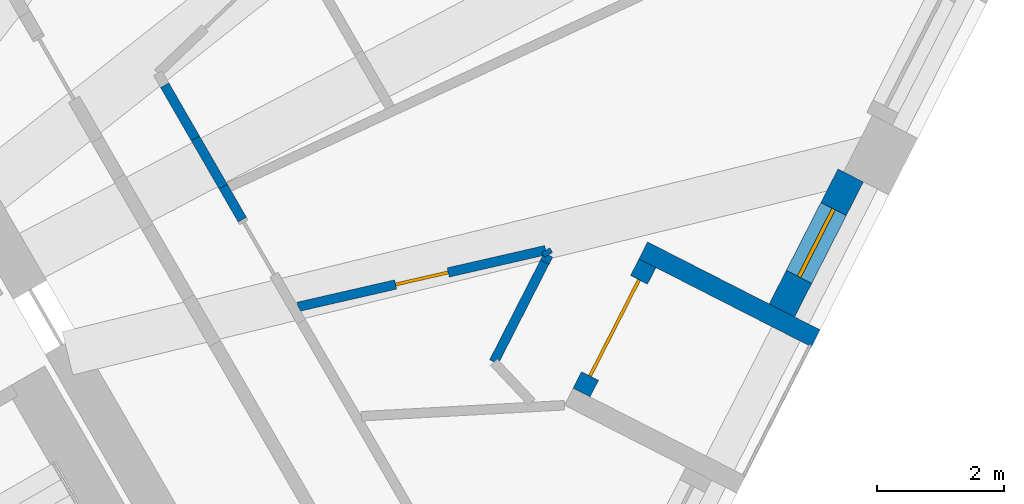
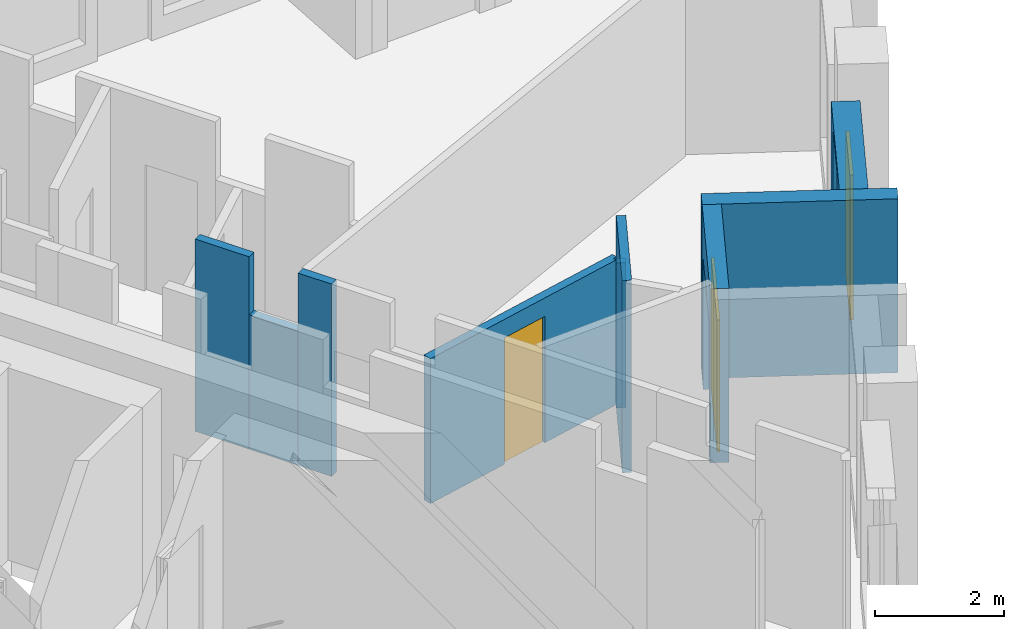
# One storey, part 6 of 13: 10 walls, 2 doors, 1 window, 3 openings.
"""IFC4 building model written with IfcOpenShell, lengths in metres."""

from ifc_helpers import new_model, si_unit, direction, frame, frame_2d, origin, place, context, subcontext, project, spatial, rectangle, extrude, material, layer, layer_set, type_object, element, fill, save


model = new_model("IFC4")

# Units and contexts
model_context = context("Model", 3, precision=1e-05, world=origin(), true_north=direction((0.0, 1.0)))
body_context = subcontext(model_context, "Body", "Model", "MODEL_VIEW")
ifc_project = project(units=[si_unit("LENGTHUNIT", "METRE"), si_unit("AREAUNIT", "SQUARE_METRE"), si_unit("VOLUMEUNIT", "CUBIC_METRE"), si_unit("PLANEANGLEUNIT", "RADIAN"), si_unit("MASSUNIT", "GRAM", prefix="KILO")], contexts=[model_context])

# Site, building, storey
site_placement = place(None, origin())
site = spatial("IfcSite", under=ifc_project, at=site_placement, CompositionType="ELEMENT")
building_placement = place(site_placement, origin())
building = spatial("IfcBuilding", under=site, at=building_placement, Name="Tramontana Tower", CompositionType="ELEMENT")
storey_placement = place(building_placement, frame((0.0, 0.0, 294.39990234375)))
storey = spatial("IfcBuildingStorey", under=building, at=storey_placement, Name="L69", CompositionType="ELEMENT", Elevation=294.39990234375)

# Wall, opening, window
ifc_material_1 = material(Name="Precast concrete 60 MPa", Category="concrete")
ifc_layer_1 = layer(ifc_material_1, 0.449951171875)
ifc_layer_set_1 = layer_set([ifc_layer_1], Name="Precast concrete 60 MPa, 450 mm")
wall_type_1 = type_object("IfcWallType", Name="EW1 Stone-faced precast wall 450", PredefinedType="SOLIDWALL", material=ifc_layer_set_1)
wall_1_placement = place(storey_placement, frame((17.796142578125, 2.27197265625, 0.0), z_axis=(0.0, 0.0, 1.0), x_axis=(0.453951830128, 0.891026226283, 0.0)))
wall_1 = element("IfcWall", 1, at=wall_1_placement, inside=storey, type_object=wall_type_1, Name="External wall L69 face 1 bay 4", PredefinedType="SOLIDWALL", context=body_context, shape_type="SweptSolid", body=[
    extrude(rectangle(XDim=2.38671875, YDim=0.449951171875, at=frame_2d((1.193359375, 0.0))), origin(), (0.0, 0.0, 1.0), 3.300048828125),
])
opening_1_placement = place(wall_1_placement, frame((0.59326171875, 0.0, 0.39990234375)))
opening_1 = element("IfcOpeningElement", 2, at=opening_1_placement, cuts=wall_1, Name="Opening N3", PredefinedType="OPENING", context=body_context, shape_type="SweptSolid", body=[
    extrude(rectangle(XDim=1.199951171875, YDim=2.75, at=frame_2d((0.60009765625, 1.375))), frame((0.0, 0.23486328125, 0.0), z_axis=(0.0, -1.0, 0.0), x_axis=(1.0, 0.0, 0.0)), (0.0, 0.0, 1.0), 0.469970703125),
])
ifc_material_2 = material(Name="Aluminum frame, double glazing unit", Category="aluminium")
window_type = type_object("IfcWindowType", Name="N3 Window 1.2 x 2.75", PartitioningType="SINGLE_PANEL", PredefinedType="WINDOW", material=ifc_material_2)
window_placement = place(opening_1_placement, origin())
window = element("IfcWindow", 3, at=window_placement, inside=storey, type_object=window_type, Name="Window N3 L69 face 1 module 12", OverallHeight=2.75, OverallWidth=1.199951171875, PartitioningType="SINGLE_PANEL", PredefinedType="WINDOW", context=body_context, shape_type="SweptSolid", body=[
    extrude(rectangle(XDim=1.199951171875, YDim=2.75, at=frame_2d((0.60009765625, 1.375))), frame((0.0, 0.030029296875, 0.0), z_axis=(0.0, -1.0, 0.0), x_axis=(1.0, 0.0, 0.0)), (0.0, 0.0, 1.0), 0.06005859375),
])
fill(opening_1, window)

# Wall, opening, door
ifc_material_3 = material(Name="Precast concrete 60 MPa", Category="concrete")
ifc_layer_2 = layer(ifc_material_3, 0.300048828125)
ifc_layer_set_2 = layer_set([ifc_layer_2], Name="LW1 Stone-faced loggia wall 300")
wall_type_2 = type_object("IfcWallType", Name="LW1 Stone-faced loggia wall 300", PredefinedType="SOLIDWALL", material=ifc_layer_set_2)
wall_2_placement = place(storey_placement, frame((14.63916015625, 0.977294921875, 0.0), z_axis=(0.0, 0.0, 1.0), x_axis=(0.45403292632, 0.890984905494, 0.0)))
wall_2 = element("IfcWall", 4, at=wall_2_placement, inside=storey, type_object=wall_type_2, Name="Loggia wall L69 G7S1.10", PredefinedType="SOLIDWALL", context=body_context, shape_type="SweptSolid", body=[
    extrude(rectangle(XDim=2.286865234375, YDim=0.300048828125, at=frame_2d((1.1435546875, 0.0))), origin(), (0.0, 0.0, 1.0), 3.300048828125),
])
opening_2_placement = place(wall_2_placement, frame((0.29345703125, 0.0, 0.0)))
opening_2 = element("IfcOpeningElement", 5, at=opening_2_placement, cuts=wall_2, Name="Opening BD-7S1-10", PredefinedType="OPENING", context=body_context, shape_type="SweptSolid", body=[
    extrude(rectangle(XDim=1.699951171875, YDim=2.5, at=frame_2d((0.85009765625, 1.25))), frame((0.0, 0.159912109375, 0.0), z_axis=(0.0, -1.0, 0.0), x_axis=(1.0, 0.0, 0.0)), (0.0, 0.0, 1.0), 0.320068359375),
])
ifc_material_4 = material(Name="Aluminum frame, double glazing unit", Category="aluminium")
door_type_1 = type_object("IfcDoorType", Name="BD3 Sliding door 1.7 x 2.5", OperationType="SLIDING_TO_LEFT", PredefinedType="DOOR", material=ifc_material_4)
door_1_placement = place(opening_2_placement, origin())
door_1 = element("IfcDoor", 6, at=door_1_placement, inside=storey, type_object=door_type_1, Name="Loggia door L69 G7S1.10", OperationType="SLIDING_TO_LEFT", OverallHeight=2.5, OverallWidth=1.699951171875, PredefinedType="DOOR", context=body_context, shape_type="SweptSolid", body=[
    extrude(rectangle(XDim=1.699951171875, YDim=2.5, at=frame_2d((0.85009765625, 1.25))), frame((0.0, 0.02490234375, 0.0), z_axis=(0.0, -1.0, 0.0), x_axis=(1.0, 0.0, 0.0)), (0.0, 0.0, 1.0), 0.050048828125),
])
fill(opening_2, door_1)

# Walls
wall_3_placement = place(storey_placement, frame((18.329345703125, 1.831787109375, 0.0), z_axis=(0.0, 0.0, 1.0), x_axis=(-0.890991233495, 0.454020508165, 0.0)))
element("IfcWall", 7, at=wall_3_placement, inside=storey, type_object=wall_type_2, Name="Loggia return L69 G7S1.10b", PredefinedType="SOLIDWALL", context=body_context, shape_type="SweptSolid", body=[
    extrude(rectangle(XDim=3.050048828125, YDim=0.300048828125, at=frame_2d((1.52490234375, 0.0))), origin(), (0.0, 0.0, 1.0), 3.300048828125),
])
ifc_material_5 = material(Name="Gypsum board partition")
ifc_layer_3 = layer(ifc_material_5, 0.14990234375)
ifc_layer_set_3 = layer_set([ifc_layer_3], Name="PARTITION 150")
wall_type_3 = type_object("IfcWallType", Name="PARTITION 150", PredefinedType="PARTITIONING", material=ifc_layer_set_3)
wall_4_placement = place(storey_placement, frame((8.071044921875, 5.820556640625, 0.0), z_axis=(0.0, 0.0, 1.0), x_axis=(0.500071713487, -0.865983996024, 0.0)))
element("IfcWall", 8, at=wall_4_placement, inside=storey, type_object=wall_type_3, Name="Wall v71-pw33-1", PredefinedType="PARTITIONING", context=body_context, shape_type="SweptSolid", body=[
    extrude(rectangle(XDim=0.968017578125, YDim=0.14990234375, at=frame_2d((0.48388671875, 0.0))), origin(), (0.0, 0.0, 1.0), 3.650146484375),
])
wall_5_placement = place(storey_placement, frame((8.55517578125, 4.982177734375, 0.0), z_axis=(0.0, 0.0, 1.0), x_axis=(0.499947731247, -0.86605557906, 0.0)))
element("IfcWall", 9, at=wall_5_placement, inside=storey, type_object=wall_type_3, Name="Wall v71-pw33-2", PredefinedType="PARTITIONING", context=body_context, shape_type="SweptSolid", body=[
    extrude(rectangle(XDim=0.87548828125, YDim=0.14990234375, at=frame_2d((0.437744140625, 0.0))), origin(), (0.0, 0.0, 1.0), 2.550048828125),
])
wall_6_placement = place(storey_placement, frame((8.992919921875, 4.223876953125, 0.0), z_axis=(0.0, 0.0, 1.0), x_axis=(0.499933044277, -0.866064057238, 0.0)))
element("IfcWall", 10, at=wall_6_placement, inside=storey, type_object=wall_type_3, Name="Wall v71-pw33-3", PredefinedType="PARTITIONING", context=body_context, shape_type="SweptSolid", body=[
    extrude(rectangle(XDim=0.60205078125, YDim=0.14990234375, at=frame_2d((0.301025390625, 0.0))), origin(), (0.0, 0.0, 1.0), 3.650146484375),
])

# Wall, opening, door
wall_7_placement = place(storey_placement, frame((14.07470703125, 3.221923828125, 0.0), z_axis=(0.0, 0.0, 1.0), x_axis=(-0.974783486008, -0.223152762489, 0.0)))
wall_7 = element("IfcWall", 11, at=wall_7_placement, inside=storey, type_object=wall_type_3, Name="Wall v71-pw34-0", PredefinedType="PARTITIONING", context=body_context, shape_type="SweptSolid", body=[
    extrude(rectangle(XDim=4.001953125, YDim=0.14990234375, at=frame_2d((2.0009765625, 0.0))), origin(), (0.0, 0.0, 1.0), 2.75),
])
opening_3_placement = place(wall_7_placement, frame((1.575927734375, 0.0, 0.0)))
opening_3 = element("IfcOpeningElement", 12, at=opening_3_placement, cuts=wall_7, Name="Opening B7B-19", PredefinedType="OPENING", context=body_context, shape_type="SweptSolid", body=[
    extrude(rectangle(XDim=0.85009765625, YDim=2.39990234375, at=frame_2d((0.425048828125, 1.199951171875))), frame((0.0, 0.0849609375, 0.0), z_axis=(0.0, -1.0, 0.0), x_axis=(1.0, 0.0, 0.0)), (0.0, 0.0, 1.0), 0.169921875),
])
ifc_material_6 = material(Name="Painted timber", Category="wood")
door_type_2 = type_object("IfcDoorType", Name="DOOR BATH 850", OperationType="SINGLE_SWING_LEFT", PredefinedType="DOOR", material=ifc_material_6)
door_2_placement = place(opening_3_placement, origin())
door_2 = element("IfcDoor", 13, at=door_2_placement, inside=storey, type_object=door_type_2, Name="Door B7B-19", OperationType="SINGLE_SWING_LEFT", OverallHeight=2.39990234375, OverallWidth=0.85009765625, PredefinedType="DOOR", context=body_context, shape_type="SweptSolid", body=[
    extrude(rectangle(XDim=0.85009765625, YDim=2.39990234375, at=frame_2d((0.425048828125, 1.199951171875))), frame((0.0, 0.02490234375, 0.0), z_axis=(0.0, -1.0, 0.0), x_axis=(1.0, 0.0, 0.0)), (0.0, 0.0, 1.0), 0.050048828125),
])
fill(opening_3, door_2)

# Walls
wall_8_placement = place(storey_placement, frame((14.07470703125, 3.221923828125, 0.0), z_axis=(0.0, 0.0, 1.0), x_axis=(0.498899561949, -0.866659810472, 0.0)))
element("IfcWall", 14, at=wall_8_placement, inside=storey, type_object=wall_type_3, Name="Wall v71-pw40-0", PredefinedType="PARTITIONING", context=body_context, shape_type="SweptSolid", body=[
    extrude(rectangle(XDim=0.085693359375, YDim=0.14990234375, at=frame_2d((0.04296875, 0.0))), origin(), (0.0, 0.0, 1.0), 2.75),
])
wall_9_placement = place(storey_placement, frame((14.117431640625, 3.147705078125, 0.0), z_axis=(0.0, 0.0, 1.0), x_axis=(-0.453815684732, -0.891095575284, 0.0)))
element("IfcWall", 15, at=wall_9_placement, inside=storey, type_object=wall_type_3, Name="Wall v71-pw41-0", PredefinedType="PARTITIONING", context=body_context, shape_type="SweptSolid", body=[
    extrude(rectangle(XDim=0.1328125, YDim=0.14990234375, at=frame_2d((0.06640625, 0.0))), origin(), (0.0, 0.0, 1.0), 2.75),
])
wall_10_placement = place(storey_placement, frame((14.05712890625, 3.029296875, 0.0), z_axis=(0.0, 0.0, 1.0), x_axis=(-0.454017099158, -0.890992970608, 0.0)))
element("IfcWall", 16, at=wall_10_placement, inside=storey, type_object=wall_type_3, Name="Wall v71-pw41-1", PredefinedType="PARTITIONING", context=body_context, shape_type="SweptSolid", body=[
    extrude(rectangle(XDim=1.76220703125, YDim=0.14990234375, at=frame_2d((0.881103515625, 0.0))), origin(), (0.0, 0.0, 1.0), 3.650146484375),
])

save(model, "model.ifc")
